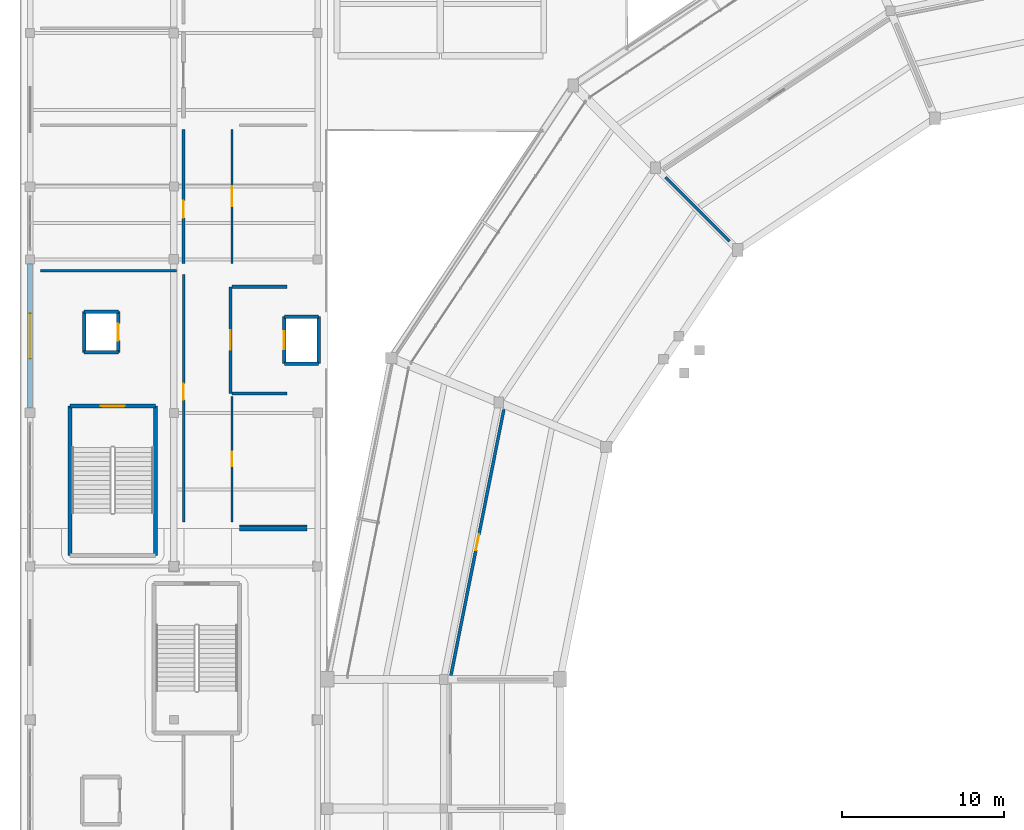
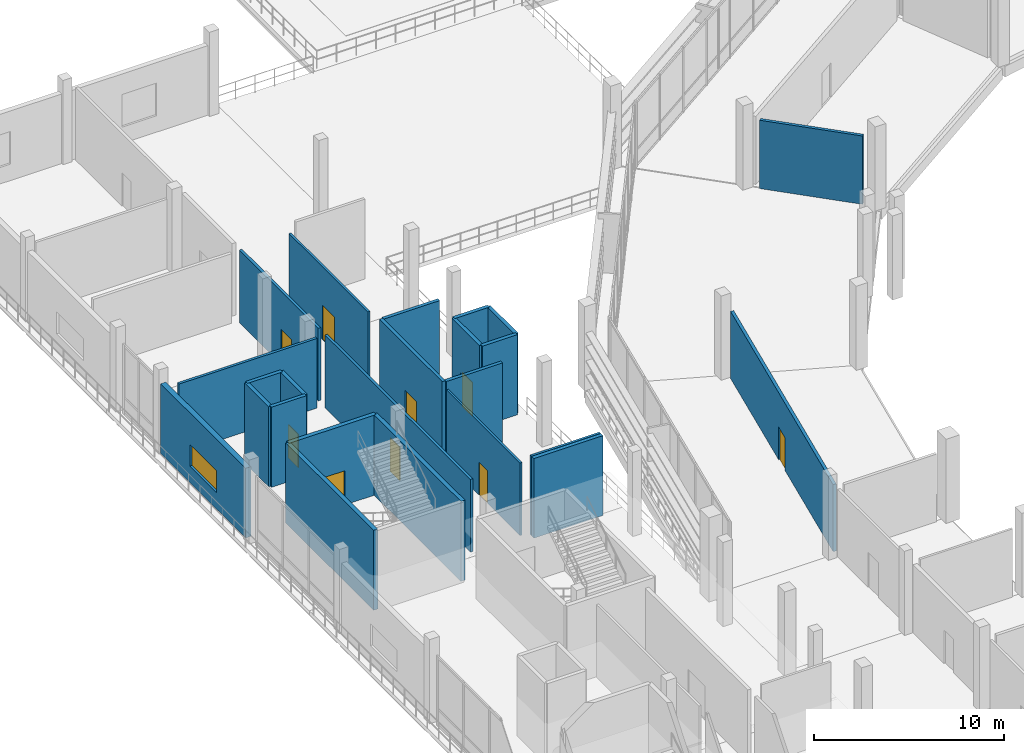
# One storey, part 74 of 111: 24 walls, 9 doors, 1 window, 10 openings.
"""IFC4 building model written with IfcOpenShell, lengths in metres."""

from ifc_helpers import new_model, si_unit, direction, frame, frame_2d, origin, place, context, subcontext, project, spatial, rectangle, extrude, material, layer, layer_set, type_object, element, fill, save


model = new_model("IFC4")

# Units and contexts
model_context = context("Model", 3, precision=1e-05, world=origin(), true_north=direction((0.0, 1.0)))
body_context = subcontext(model_context, "Body", "Model", "MODEL_VIEW")
ifc_project = project(units=[si_unit("LENGTHUNIT", "METRE"), si_unit("AREAUNIT", "SQUARE_METRE"), si_unit("VOLUMEUNIT", "CUBIC_METRE"), si_unit("PLANEANGLEUNIT", "RADIAN"), si_unit("MASSUNIT", "GRAM", prefix="KILO")], contexts=[model_context])

# Site, building, storey
site_placement = place(None, origin())
site = spatial("IfcSite", under=ifc_project, at=site_placement, CompositionType="ELEMENT")
building_placement = place(site_placement, origin())
building = spatial("IfcBuilding", under=site, at=building_placement, Name="Candeia Ridge Stadium", CompositionType="ELEMENT")
storey_placement = place(building_placement, frame((0.0, 0.0, 16.199951171875)))
storey = spatial("IfcBuildingStorey", under=building, at=storey_placement, Name="L03", CompositionType="ELEMENT", Elevation=16.199951171875)

# Wall
ifc_material_1 = material(Name="Gypsum Metal-Stud Partition", Category="gypsum")
ifc_layer_1 = layer(ifc_material_1, 0.14501953125, Name="Gypsum Metal-Stud Partition", Category="gypsum")
ifc_layer_set_1 = layer_set([ifc_layer_1], Name="Gypsum Metal-Stud Partition")
wall_type_1 = type_object("IfcWallType", Name="Athlete Recovery Partition 145", PredefinedType="PARTITIONING", material=ifc_layer_set_1)
wall_1_placement = place(storey_placement, frame((17.75, 104.5, 0.0), z_axis=(0.0, 0.0, 1.0), x_axis=(-1.0, 0.0, 0.0)))
element("IfcWall", 1, at=wall_1_placement, inside=storey, type_object=wall_type_1, Name="Demising partition PT-L03-0525", PredefinedType="PARTITIONING", context=body_context, shape_type="SweptSolid", body=[
    extrude(rectangle(XDim=4.199951171875, YDim=0.14501953125, at=frame_2d((2.10009765625, 0.0))), origin(), (0.0, 0.0, 1.0), 5.1201171875),
])

# Wall, opening, door
ifc_material_2 = material(Name="Gypsum Acoustic Twin-Stud Assembly", Category="gypsum")
ifc_layer_2 = layer(ifc_material_2, 0.159912109375, Name="Gypsum Acoustic Twin-Stud Assembly", Category="gypsum")
ifc_layer_set_2 = layer_set([ifc_layer_2], Name="Gypsum Acoustic Twin-Stud Assembly")
wall_type_2 = type_object("IfcWallType", Name="Club Dining Acoustic Partition 160", PredefinedType="PARTITIONING", material=ifc_layer_set_2)
wall_2_placement = place(storey_placement, frame((10.10009765625, 120.050048828125, 0.0), z_axis=(0.0, 0.0, 1.0), x_axis=(0.0, -1.0, 0.0)))
wall_2 = element("IfcWall", 2, at=wall_2_placement, inside=storey, type_object=wall_type_2, Name="Interior partition PT-L03-0522", PredefinedType="PARTITIONING", context=body_context, shape_type="SweptSolid", body=[
    extrude(rectangle(XDim=15.300048828125, YDim=0.159912109375, at=frame_2d((7.64990234375, 0.0))), origin(), (0.0, 0.0, 1.0), 4.66796875),
])
opening_1_placement = place(wall_2_placement, frame((6.75, 0.0, 0.0)))
opening_1 = element("IfcOpeningElement", 3, at=opening_1_placement, cuts=wall_2, Name="Opening ID04", PredefinedType="OPENING", context=body_context, shape_type="SweptSolid", body=[
    extrude(rectangle(XDim=1.0, YDim=2.14990234375, at=frame_2d((0.5, 1.074951171875))), frame((0.0, 0.08984375, 0.0), z_axis=(0.0, -1.0, 0.0), x_axis=(1.0, 0.0, 0.0)), (0.0, 0.0, 1.0), 0.179931640625),
])
ifc_material_3 = material(Name="Powder-Coated Hollow Metal", Category="steel")
door_type_1 = type_object("IfcDoorType", Name="Concourse Kiosk Service Door 1000x2150", OperationType="NOTDEFINED", PredefinedType="DOOR", material=ifc_material_3)
door_1_placement = place(opening_1_placement, frame((1.0, 0.0, 0.0), z_axis=(0.0, 0.0, 1.0), x_axis=(-1.0, 0.0, 0.0)))
door_1 = element("IfcDoor", 4, at=door_1_placement, inside=storey, type_object=door_type_1, Name="Interior room door D-L03-0269", OperationType="SINGLE_SWING_LEFT", OverallHeight=2.14990234375, OverallWidth=1.0, PredefinedType="DOOR", context=body_context, shape_type="SweptSolid", body=[
    extrude(rectangle(XDim=1.0, YDim=2.14990234375, at=frame_2d((0.5, 1.074951171875))), frame((0.0, 0.02490234375, 0.0), z_axis=(0.0, -1.0, 0.0), x_axis=(1.0, 0.0, 0.0)), (0.0, 0.0, 1.0), 0.050048828125),
])
fill(opening_1, door_1)

# Walls
wall_3_placement = place(storey_placement, frame((1.25, 120.300048828125, 0.0), z_axis=(0.0, 0.0, 1.0), x_axis=(1.0, 0.0, 0.0)))
element("IfcWall", 5, at=wall_3_placement, inside=storey, type_object=wall_type_2, Name="Demising partition PT-L03-0523", PredefinedType="PARTITIONING", context=body_context, shape_type="SweptSolid", body=[
    extrude(rectangle(XDim=8.39990234375, YDim=0.159912109375, at=frame_2d((4.199951171875, 0.0))), origin(), (0.0, 0.0, 1.0), 4.47509765625),
])
ifc_material_4 = material(Name="Concrete C40/50", Category="concrete")
ifc_layer_3 = layer(ifc_material_4, 0.25, Name="Concrete C40/50", Category="concrete")
ifc_layer_set_3 = layer_set([ifc_layer_3], Name="Concrete C40/50")
wall_type_3 = type_object("IfcWallType", Name="Core Shear Wall Concrete 250", PredefinedType="SHEAR", material=ifc_layer_set_3)
for number, where, z_axis, x_axis, name in (
    (6, (3.075439453125, 111.924560546875, 0.0), (0.0, 0.0, 1.0), (0.0, -1.0, 0.0), "Core C06 left shear wall L03"),
    (7, (8.37451171875, 102.67529296875, 0.0), (0.0, 0.0, 1.0), (0.0, 1.0, 0.0), "Core C06 right shear wall L03"),
):
    element("IfcWall", number, at=place(storey_placement, frame(where, z_axis=z_axis, x_axis=x_axis)), inside=storey, type_object=wall_type_3, Name=name, PredefinedType="SHEAR", context=body_context, shape_type="SweptSolid", body=[
        extrude(rectangle(XDim=9.249267578125, YDim=0.25, at=frame_2d((4.62451171875, 0.0))), origin(), (0.0, 0.0, 1.0), 5.14013671875),
    ])

# Wall, opening, door
wall_4_placement = place(storey_placement, frame((8.37451171875, 111.924560546875, 0.0), z_axis=(0.0, 0.0, 1.0), x_axis=(-1.0, 0.0, 0.0)))
wall_4 = element("IfcWall", 8, at=wall_4_placement, inside=storey, type_object=wall_type_3, Name="Core C06 near shear wall L03", PredefinedType="SHEAR", context=body_context, shape_type="SweptSolid", body=[
    extrude(rectangle(XDim=5.299072265625, YDim=0.25, at=frame_2d((2.6494140625, 0.0))), origin(), (0.0, 0.0, 1.0), 5.14013671875),
])
opening_2_placement = place(wall_4_placement, frame((1.899658203125, 0.0, 0.0)))
opening_2 = element("IfcOpeningElement", 9, at=opening_2_placement, cuts=wall_4, Name="Opening FD01", PredefinedType="OPENING", context=body_context, shape_type="SweptSolid", body=[
    extrude(rectangle(XDim=1.5, YDim=2.199951171875, at=frame_2d((0.75, 1.10009765625))), frame((0.0, 0.135009765625, 0.0), z_axis=(0.0, -1.0, 0.0), x_axis=(1.0, 0.0, 0.0)), (0.0, 0.0, 1.0), 0.27001953125),
])
ifc_material_5 = material(Name="Galvanized Fire-Rated Steel", Category="steel")
door_type_2 = type_object("IfcDoorType", Name="Exit Stair Core Fire Door 1500x2200", OperationType="NOTDEFINED", PredefinedType="DOOR", material=ifc_material_5)
door_2_placement = place(opening_2_placement, origin())
door_2 = element("IfcDoor", 10, at=door_2_placement, inside=storey, type_object=door_type_2, Name="Exit stair fire door SD-ST06-L03", OperationType="DOUBLE_DOOR_SINGLE_SWING", OverallHeight=2.199951171875, OverallWidth=1.5, PredefinedType="DOOR", context=body_context, shape_type="SweptSolid", body=[
    extrude(rectangle(XDim=1.5, YDim=2.199951171875, at=frame_2d((0.75, 1.10009765625))), frame((0.0, 0.02490234375, 0.0), z_axis=(0.0, -1.0, 0.0), x_axis=(1.0, 0.0, 0.0)), (0.0, 0.0, 1.0), 0.050048828125),
])
fill(opening_2, door_2)

# Wall
ifc_material_6 = material(Name="Moisture-Resistant Masonry & Tile", Category="masonry")
ifc_layer_4 = layer(ifc_material_6, 0.22998046875, Name="Moisture-Resistant Masonry & Tile", Category="masonry")
ifc_layer_set_4 = layer_set([ifc_layer_4], Name="Moisture-Resistant Masonry & Tile")
wall_type_4 = type_object("IfcWallType", Name="Dressing Suite Wet-Wall Chase 230", PredefinedType="PLUMBINGWALL", material=ifc_layer_set_4)
wall_5_placement = place(storey_placement, frame((13.550048828125, 104.300048828125, 0.0), z_axis=(0.0, 0.0, 1.0), x_axis=(1.0, 0.0, 0.0)))
element("IfcWall", 11, at=wall_5_placement, inside=storey, type_object=wall_type_4, Name="Demising partition PT-L03-0521", PredefinedType="PLUMBINGWALL", context=body_context, shape_type="SweptSolid", body=[
    extrude(rectangle(XDim=4.199951171875, YDim=0.22998046875, at=frame_2d((2.10009765625, 0.0))), origin(), (0.0, 0.0, 1.0), 5.1201171875),
])

# Wall, opening, window
ifc_material_7 = material(Name="Concrete C35/45", Category="concrete")
ifc_layer_5 = layer(ifc_material_7, 0.320068359375, Name="Concrete C35/45", Category="concrete")
ifc_layer_set_5 = layer_set([ifc_layer_5], Name="Concrete C35/45")
wall_type_5 = type_object("IfcWallType", Name="Exterior Cedar-Clad Insulated Wall 320", PredefinedType="SOLIDWALL", material=ifc_layer_set_5)
wall_6_placement = place(storey_placement, frame((0.60009765625, 111.7880859375, 0.0), z_axis=(0.0, 0.0, 1.0), x_axis=(0.0, 1.0, 0.0)))
wall_6 = element("IfcWall", 12, at=wall_6_placement, inside=storey, type_object=wall_type_5, Name="Exterior facade wall EW-L03-0092", PredefinedType="SOLIDWALL", context=body_context, shape_type="SweptSolid", body=[
    extrude(rectangle(XDim=8.948974609375, YDim=0.320068359375, at=frame_2d((4.474609375, 0.0))), origin(), (0.0, 0.0, 1.0), 4.47509765625),
])
opening_3_placement = place(wall_6_placement, frame((3.074462890625, 0.0, 1.050048828125)))
opening_3 = element("IfcOpeningElement", 13, at=opening_3_placement, cuts=wall_6, Name="Opening W06", PredefinedType="OPENING", context=body_context, shape_type="SweptSolid", body=[
    extrude(rectangle(XDim=2.800048828125, YDim=1.39990234375, at=frame_2d((1.39990234375, 0.699951171875))), frame((0.0, 0.169921875, 0.0), z_axis=(0.0, -1.0, 0.0), x_axis=(1.0, 0.0, 0.0)), (0.0, 0.0, 1.0), 0.340087890625),
])
ifc_material_8 = material(Name="Tempered Solar-Control Double Glazing", Category="glass")
window_type = type_object("IfcWindowType", Name="Museum Clerestory Window 2800x1400", PartitioningType="SINGLE_PANEL", PredefinedType="WINDOW", material=ifc_material_8)
window_placement = place(opening_3_placement, origin())
window = element("IfcWindow", 14, at=window_placement, inside=storey, type_object=window_type, Name="Exterior window WIN-L03-045", OverallHeight=1.39990234375, OverallWidth=2.800048828125, PartitioningType="SINGLE_PANEL", PredefinedType="WINDOW", context=body_context, shape_type="SweptSolid", body=[
    extrude(rectangle(XDim=2.800048828125, YDim=1.39990234375, at=frame_2d((1.39990234375, 0.699951171875))), frame((0.0, 0.030029296875, 0.0), z_axis=(0.0, -1.0, 0.0), x_axis=(1.0, 0.0, 0.0)), (0.0, 0.0, 1.0), 0.06005859375),
])
fill(opening_3, window)

# Walls
ifc_layer_6 = layer(ifc_material_7, 0.199951171875, Name="Concrete C35/45", Category="concrete")
ifc_layer_set_6 = layer_set([ifc_layer_6], Name="Concrete C35/45")
wall_type_6 = type_object("IfcWallType", Name="Firefighting Lobby Rated Wall 200", PredefinedType="SOLIDWALL", material=ifc_layer_set_6)
for number, where, z_axis, x_axis, name in (
    (15, (13.10009765625, 112.699951171875, 0.0), (0.0, 0.0, 1.0), (1.0, 0.0, 0.0), "Firefighting lift lobby FF2 rated wall L03 south"),
    (16, (16.5, 119.300048828125, 0.0), (0.0, 0.0, 1.0), (-1.0, 0.0, 0.0), "Firefighting lift lobby FF2 rated wall L03 north"),
):
    element("IfcWall", number, at=place(storey_placement, frame(where, z_axis=z_axis, x_axis=x_axis)), inside=storey, type_object=wall_type_6, Name=name, PredefinedType="SOLIDWALL", context=body_context, shape_type="SweptSolid", body=[
        extrude(rectangle(XDim=3.39990234375, YDim=0.199951171875, at=frame_2d((1.699951171875, 0.0))), origin(), (0.0, 0.0, 1.0), 5.1201171875),
    ])

# Wall, opening, door
wall_7_placement = place(storey_placement, frame((13.0, 119.300048828125, 0.0), z_axis=(0.0, 0.0, 1.0), x_axis=(0.0, -1.0, 0.0)))
wall_7 = element("IfcWall", 17, at=wall_7_placement, inside=storey, type_object=wall_type_6, Name="Firefighting lift lobby FF2 rated wall L03 entry", PredefinedType="SOLIDWALL", context=body_context, shape_type="SweptSolid", body=[
    extrude(rectangle(XDim=6.60009765625, YDim=0.199951171875, at=frame_2d((3.300048828125, 0.0))), origin(), (0.0, 0.0, 1.0), 5.1201171875),
])
opening_4_placement = place(wall_7_placement, frame((2.699951171875, 0.0, 0.0)))
opening_4 = element("IfcOpeningElement", 18, at=opening_4_placement, cuts=wall_7, Name="Opening FD02", PredefinedType="OPENING", context=body_context, shape_type="SweptSolid", body=[
    extrude(rectangle(XDim=1.199951171875, YDim=2.199951171875, at=frame_2d((0.60009765625, 1.10009765625))), frame((0.0, 0.10986328125, 0.0), z_axis=(0.0, -1.0, 0.0), x_axis=(1.0, 0.0, 0.0)), (0.0, 0.0, 1.0), 0.219970703125),
])
door_type_3 = type_object("IfcDoorType", Name="Firefighting Lobby Fire Door 1200x2200", OperationType="NOTDEFINED", PredefinedType="DOOR", material=ifc_material_5)
door_3_placement = place(opening_4_placement, origin())
door_3 = element("IfcDoor", 19, at=door_3_placement, inside=storey, type_object=door_type_3, Name="Firefighting lobby fire door FFD-FF2-L03", OperationType="SINGLE_SWING_RIGHT", OverallHeight=2.199951171875, OverallWidth=1.199951171875, PredefinedType="DOOR", context=body_context, shape_type="SweptSolid", body=[
    extrude(rectangle(XDim=1.199951171875, YDim=2.199951171875, at=frame_2d((0.60009765625, 1.10009765625))), frame((0.0, 0.02490234375, 0.0), z_axis=(0.0, -1.0, 0.0), x_axis=(1.0, 0.0, 0.0)), (0.0, 0.0, 1.0), 0.050048828125),
])
fill(opening_4, door_3)

ifc_layer_7 = layer(ifc_material_1, 0.135009765625, Name="Gypsum Metal-Stud Partition", Category="gypsum")
ifc_layer_set_7 = layer_set([ifc_layer_7], Name="Gypsum Metal-Stud Partition")
wall_type_7 = type_object("IfcWallType", Name="General Room Partition 135", PredefinedType="PARTITIONING", material=ifc_layer_set_7)
wall_8_placement = place(storey_placement, frame((13.10009765625, 120.75, 0.0), z_axis=(0.0, 0.0, 1.0), x_axis=(0.0, 1.0, 0.0)))
wall_8 = element("IfcWall", 20, at=wall_8_placement, inside=storey, type_object=wall_type_7, Name="Interior partition PT-L03-0528", PredefinedType="PARTITIONING", context=body_context, shape_type="SweptSolid", body=[
    extrude(rectangle(XDim=8.300048828125, YDim=0.135009765625, at=frame_2d((4.14990234375, 0.0))), origin(), (0.0, 0.0, 1.0), 4.66796875),
])
opening_5_placement = place(wall_8_placement, frame((3.52490234375, 0.0, 0.0)))
opening_5 = element("IfcOpeningElement", 21, at=opening_5_placement, cuts=wall_8, Name="Opening ID11", PredefinedType="OPENING", context=body_context, shape_type="SweptSolid", body=[
    extrude(rectangle(XDim=1.25, YDim=2.199951171875, at=frame_2d((0.625, 1.10009765625))), frame((0.0, 0.077392578125, 0.0), z_axis=(0.0, -1.0, 0.0), x_axis=(1.0, 0.0, 0.0)), (0.0, 0.0, 1.0), 0.155029296875),
])
ifc_material_9 = material(Name="Acoustic Timber Studio Leaf", Category="wood")
door_type_4 = type_object("IfcDoorType", Name="Press Tribune Acoustic Door 1250x2200", OperationType="NOTDEFINED", PredefinedType="DOOR", material=ifc_material_9)
door_4_placement = place(opening_5_placement, origin())
door_4 = element("IfcDoor", 22, at=door_4_placement, inside=storey, type_object=door_type_4, Name="Interior room door D-L03-0272", OperationType="SINGLE_SWING_RIGHT", OverallHeight=2.199951171875, OverallWidth=1.25, PredefinedType="DOOR", context=body_context, shape_type="SweptSolid", body=[
    extrude(rectangle(XDim=1.25, YDim=2.199951171875, at=frame_2d((0.625, 1.10009765625))), frame((0.0, 0.02490234375, 0.0), z_axis=(0.0, -1.0, 0.0), x_axis=(1.0, 0.0, 0.0)), (0.0, 0.0, 1.0), 0.050048828125),
])
fill(opening_5, door_4)

ifc_layer_8 = layer(ifc_material_2, 0.1650390625, Name="Gypsum Acoustic Twin-Stud Assembly", Category="gypsum")
ifc_layer_set_8 = layer_set([ifc_layer_8], Name="Gypsum Acoustic Twin-Stud Assembly")
wall_type_8 = type_object("IfcWallType", Name="Hospitality Suite Acoustic Wall 165", PredefinedType="PARTITIONING", material=ifc_layer_set_8)
wall_9_placement = place(storey_placement, frame((10.10009765625, 129.050048828125, 0.0), z_axis=(0.0, 0.0, 1.0), x_axis=(0.0, -1.0, 0.0)))
wall_9 = element("IfcWall", 23, at=wall_9_placement, inside=storey, type_object=wall_type_8, Name="Interior partition PT-L03-0526", PredefinedType="PARTITIONING", context=body_context, shape_type="SweptSolid", body=[
    extrude(rectangle(XDim=8.300048828125, YDim=0.1650390625, at=frame_2d((4.14990234375, 0.0))), origin(), (0.0, 0.0, 1.0), 4.66796875),
])
opening_6_placement = place(wall_9_placement, frame((4.409912109375, 0.0, 0.0)))
opening_6 = element("IfcOpeningElement", 24, at=opening_6_placement, cuts=wall_9, Name="Opening ID08", PredefinedType="OPENING", context=body_context, shape_type="SweptSolid", body=[
    extrude(rectangle(XDim=1.080078125, YDim=2.25, at=frame_2d((0.5400390625, 1.125))), frame((0.0, 0.092529296875, 0.0), z_axis=(0.0, -1.0, 0.0), x_axis=(1.0, 0.0, 0.0)), (0.0, 0.0, 1.0), 0.18505859375),
])
ifc_material_10 = material(Name="Western Red Cedar Acoustic Veneer", Category="wood")
door_type_5 = type_object("IfcDoorType", Name="Executive Skybox Entry Door 1080x2250", OperationType="NOTDEFINED", PredefinedType="DOOR", material=ifc_material_10)
door_5_placement = place(opening_6_placement, origin())
door_5 = element("IfcDoor", 25, at=door_5_placement, inside=storey, type_object=door_type_5, Name="Interior room door D-L03-0271", OperationType="SINGLE_SWING_LEFT", OverallHeight=2.25, OverallWidth=1.080078125, PredefinedType="DOOR", context=body_context, shape_type="SweptSolid", body=[
    extrude(rectangle(XDim=1.080078125, YDim=2.25, at=frame_2d((0.5400390625, 1.125))), frame((0.0, 0.02490234375, 0.0), z_axis=(0.0, -1.0, 0.0), x_axis=(1.0, 0.0, 0.0)), (0.0, 0.0, 1.0), 0.050048828125),
])
fill(opening_6, door_5)

# Walls
ifc_layer_9 = layer(ifc_material_4, 0.219970703125, Name="Concrete C40/50", Category="concrete")
ifc_layer_set_9 = layer_set([ifc_layer_9], Name="Concrete C40/50")
wall_type_9 = type_object("IfcWallType", Name="Lift & Riser Shaft Wall 220", PredefinedType="SHEAR", material=ifc_layer_set_9)
wall_10_placement = place(storey_placement, frame((16.340087890625, 114.5400390625, 0.0), z_axis=(0.0, 0.0, 1.0), x_axis=(1.0, 0.0, 0.0)))
element("IfcWall", 26, at=wall_10_placement, inside=storey, type_object=wall_type_9, Name="Lift FF2 shaft wall L03 south", PredefinedType="SHEAR", context=body_context, shape_type="SweptSolid", body=[
    extrude(rectangle(XDim=2.119873046875, YDim=0.219970703125, at=frame_2d((1.06005859375, 0.0))), origin(), (0.0, 0.0, 1.0), 5.14013671875),
])
wall_11_placement = place(storey_placement, frame((18.4599609375, 114.5400390625, 0.0), z_axis=(0.0, 0.0, 1.0), x_axis=(0.0, 1.0, 0.0)))
element("IfcWall", 27, at=wall_11_placement, inside=storey, type_object=wall_type_9, Name="Lift FF2 shaft wall L03 east", PredefinedType="SHEAR", context=body_context, shape_type="SweptSolid", body=[
    extrude(rectangle(XDim=2.919921875, YDim=0.219970703125, at=frame_2d((1.4599609375, 0.0))), origin(), (0.0, 0.0, 1.0), 5.14013671875),
])
wall_12_placement = place(storey_placement, frame((18.4599609375, 117.4599609375, 0.0), z_axis=(0.0, 0.0, 1.0), x_axis=(-1.0, 0.0, 0.0)))
element("IfcWall", 28, at=wall_12_placement, inside=storey, type_object=wall_type_9, Name="Lift FF2 shaft wall L03 north", PredefinedType="SHEAR", context=body_context, shape_type="SweptSolid", body=[
    extrude(rectangle(XDim=2.119873046875, YDim=0.219970703125, at=frame_2d((1.06005859375, 0.0))), origin(), (0.0, 0.0, 1.0), 5.14013671875),
])

# Wall, opening, door
wall_13_placement = place(storey_placement, frame((16.340087890625, 117.4599609375, 0.0), z_axis=(0.0, 0.0, 1.0), x_axis=(0.0, -1.0, 0.0)))
wall_13 = element("IfcWall", 29, at=wall_13_placement, inside=storey, type_object=wall_type_9, Name="Lift FF2 shaft wall L03 west", PredefinedType="SHEAR", context=body_context, shape_type="SweptSolid", body=[
    extrude(rectangle(XDim=2.919921875, YDim=0.219970703125, at=frame_2d((1.4599609375, 0.0))), origin(), (0.0, 0.0, 1.0), 5.14013671875),
])
opening_7_placement = place(wall_13_placement, frame((0.909912109375, 0.0, 0.0)))
opening_7 = element("IfcOpeningElement", 30, at=opening_7_placement, cuts=wall_13, Name="Opening LD01", PredefinedType="OPENING", context=body_context, shape_type="SweptSolid", body=[
    extrude(rectangle(XDim=1.10009765625, YDim=2.199951171875, at=frame_2d((0.550048828125, 1.10009765625))), frame((0.0, 0.119873046875, 0.0), z_axis=(0.0, -1.0, 0.0), x_axis=(1.0, 0.0, 0.0)), (0.0, 0.0, 1.0), 0.239990234375),
])
ifc_material_11 = material(Name="Brushed Stainless Steel", Category="steel")
door_type_6 = type_object("IfcDoorType", Name="Firefighting Lift Landing Door 1100x2200", OperationType="NOTDEFINED", PredefinedType="DOOR", material=ifc_material_11)
door_6_placement = place(opening_7_placement, origin())
door_6 = element("IfcDoor", 31, at=door_6_placement, inside=storey, type_object=door_type_6, Name="Lift landing sliding door LD-FF2-L03", OperationType="DOUBLE_DOOR_SLIDING", OverallHeight=2.199951171875, OverallWidth=1.10009765625, PredefinedType="DOOR", context=body_context, shape_type="SweptSolid", body=[
    extrude(rectangle(XDim=1.10009765625, YDim=2.199951171875, at=frame_2d((0.550048828125, 1.10009765625))), frame((0.0, 0.02490234375, 0.0), z_axis=(0.0, -1.0, 0.0), x_axis=(1.0, 0.0, 0.0)), (0.0, 0.0, 1.0), 0.050048828125),
])
fill(opening_7, door_6)

# Wall
wall_14_placement = place(storey_placement, frame((3.93994140625, 115.239990234375, 0.0), z_axis=(0.0, 0.0, 1.0), x_axis=(1.0, 0.0, 0.0)))
element("IfcWall", 32, at=wall_14_placement, inside=storey, type_object=wall_type_9, Name="Lift VL2 shaft wall L03 south", PredefinedType="SHEAR", context=body_context, shape_type="SweptSolid", body=[
    extrude(rectangle(XDim=2.1201171875, YDim=0.219970703125, at=frame_2d((1.06005859375, 0.0))), origin(), (0.0, 0.0, 1.0), 5.14013671875),
])

# Wall, opening, door
wall_15_placement = place(storey_placement, frame((6.06005859375, 115.239990234375, 0.0), z_axis=(0.0, 0.0, 1.0), x_axis=(0.0, 1.0, 0.0)))
wall_15 = element("IfcWall", 33, at=wall_15_placement, inside=storey, type_object=wall_type_9, Name="Lift VL2 shaft wall L03 east", PredefinedType="SHEAR", context=body_context, shape_type="SweptSolid", body=[
    extrude(rectangle(XDim=2.52001953125, YDim=0.219970703125, at=frame_2d((1.260009765625, 0.0))), origin(), (0.0, 0.0, 1.0), 5.14013671875),
])
opening_8_placement = place(wall_15_placement, frame((0.735107421875, 0.0, 0.0)))
opening_8 = element("IfcOpeningElement", 34, at=opening_8_placement, cuts=wall_15, Name="Opening LD02", PredefinedType="OPENING", context=body_context, shape_type="SweptSolid", body=[
    extrude(rectangle(XDim=1.050048828125, YDim=2.14990234375, at=frame_2d((0.52490234375, 1.074951171875))), frame((0.0, 0.119873046875, 0.0), z_axis=(0.0, -1.0, 0.0), x_axis=(1.0, 0.0, 0.0)), (0.0, 0.0, 1.0), 0.239990234375),
])
door_type_7 = type_object("IfcDoorType", Name="Passenger Lift Landing Door 1050x2150", OperationType="NOTDEFINED", PredefinedType="DOOR", material=ifc_material_11)
door_7_placement = place(opening_8_placement, origin())
door_7 = element("IfcDoor", 35, at=door_7_placement, inside=storey, type_object=door_type_7, Name="Lift landing sliding door LD-VL2-L03", OperationType="DOUBLE_DOOR_SLIDING", OverallHeight=2.14990234375, OverallWidth=1.050048828125, PredefinedType="DOOR", context=body_context, shape_type="SweptSolid", body=[
    extrude(rectangle(XDim=1.050048828125, YDim=2.14990234375, at=frame_2d((0.52490234375, 1.074951171875))), frame((0.0, 0.02490234375, 0.0), z_axis=(0.0, -1.0, 0.0), x_axis=(1.0, 0.0, 0.0)), (0.0, 0.0, 1.0), 0.050048828125),
])
fill(opening_8, door_7)

# Walls
wall_16_placement = place(storey_placement, frame((6.06005859375, 117.760009765625, 0.0), z_axis=(0.0, 0.0, 1.0), x_axis=(-1.0, 0.0, 0.0)))
element("IfcWall", 36, at=wall_16_placement, inside=storey, type_object=wall_type_9, Name="Lift VL2 shaft wall L03 north", PredefinedType="SHEAR", context=body_context, shape_type="SweptSolid", body=[
    extrude(rectangle(XDim=2.1201171875, YDim=0.219970703125, at=frame_2d((1.06005859375, 0.0))), origin(), (0.0, 0.0, 1.0), 5.14013671875),
])
wall_17_placement = place(storey_placement, frame((3.93994140625, 117.760009765625, 0.0), z_axis=(0.0, 0.0, 1.0), x_axis=(0.0, -1.0, 0.0)))
element("IfcWall", 37, at=wall_17_placement, inside=storey, type_object=wall_type_9, Name="Lift VL2 shaft wall L03 west", PredefinedType="SHEAR", context=body_context, shape_type="SweptSolid", body=[
    extrude(rectangle(XDim=2.52001953125, YDim=0.219970703125, at=frame_2d((1.260009765625, 0.0))), origin(), (0.0, 0.0, 1.0), 5.14013671875),
])

# Wall, opening, door
ifc_material_12 = material(Name="Gypsum Acoustic Triple-Board Wall", Category="gypsum")
ifc_layer_10 = layer(ifc_material_12, 0.18505859375, Name="Gypsum Acoustic Triple-Board Wall", Category="gypsum")
ifc_layer_set_10 = layer_set([ifc_layer_10], Name="Gypsum Acoustic Triple-Board Wall")
wall_type_10 = type_object("IfcWallType", Name="Media Booth Studio Divider 185", PredefinedType="PARTITIONING", material=ifc_layer_set_10)
wall_18_placement = place(storey_placement, frame((26.648681640625, 95.2451171875, 0.0), z_axis=(0.0, 0.0, 1.0), x_axis=(0.195100557291, 0.980783244425, 0.0)))
wall_18 = element("IfcWall", 38, at=wall_18_placement, inside=storey, type_object=wall_type_10, Name="Interior partition PT-L03-0579", PredefinedType="PARTITIONING", context=body_context, shape_type="SweptSolid", body=[
    extrude(rectangle(XDim=16.783203125, YDim=0.18505859375, at=frame_2d((8.3916015625, 0.0))), origin(), (0.0, 0.0, 1.0), 4.304931640625),
])
opening_9_placement = place(wall_18_placement, frame((7.8916015625, 0.0, 0.0)))
opening_9 = element("IfcOpeningElement", 39, at=opening_9_placement, cuts=wall_18, Name="Opening ID06", PredefinedType="OPENING", context=body_context, shape_type="SweptSolid", body=[
    extrude(rectangle(XDim=1.0, YDim=2.10009765625, at=frame_2d((0.5, 1.050048828125))), frame((0.0, 0.1025390625, 0.0), z_axis=(0.0, -1.0, 0.0), x_axis=(1.0, 0.0, 0.0)), (0.0, 0.0, 1.0), 0.205078125),
])
ifc_material_13 = material(Name="Moisture-Resistant Laminate", Category="wood")
door_type_8 = type_object("IfcDoorType", Name="Accessible Sanitary Door 1000x2100", OperationType="NOTDEFINED", PredefinedType="DOOR", material=ifc_material_13)
door_8_placement = place(opening_9_placement, origin())
door_8 = element("IfcDoor", 40, at=door_8_placement, inside=storey, type_object=door_type_8, Name="Interior room door D-L03-0298", OperationType="SINGLE_SWING_RIGHT", OverallHeight=2.10009765625, OverallWidth=1.0, PredefinedType="DOOR", context=body_context, shape_type="SweptSolid", body=[
    extrude(rectangle(XDim=1.0, YDim=2.10009765625, at=frame_2d((0.5, 1.050048828125))), frame((0.0, 0.02490234375, 0.0), z_axis=(0.0, -1.0, 0.0), x_axis=(1.0, 0.0, 0.0)), (0.0, 0.0, 1.0), 0.050048828125),
])
fill(opening_9, door_8)

# Wall
ifc_layer_11 = layer(ifc_material_2, 0.175048828125, Name="Gypsum Acoustic Twin-Stud Assembly", Category="gypsum")
ifc_layer_set_11 = layer_set([ifc_layer_11], Name="Gypsum Acoustic Twin-Stud Assembly")
wall_type_11 = type_object("IfcWallType", Name="Museum Acoustic Gallery Wall 175", PredefinedType="PARTITIONING", material=ifc_layer_set_11)
wall_19_placement = place(storey_placement, frame((43.882568359375, 122.117431640625, 0.0), z_axis=(0.0, 0.0, 1.0), x_axis=(-0.707106781187, 0.707106781187, 0.0)))
element("IfcWall", 41, at=wall_19_placement, inside=storey, type_object=wall_type_11, Name="Demising partition PT-L03-0578", PredefinedType="PARTITIONING", context=body_context, shape_type="SweptSolid", body=[
    extrude(rectangle(XDim=5.600341796875, YDim=0.175048828125, at=frame_2d((2.80029296875, 0.0))), origin(), (0.0, 0.0, 1.0), 4.385009765625),
])

# Wall, opening, door
ifc_layer_12 = layer(ifc_material_1, 0.1298828125, Name="Gypsum Metal-Stud Partition", Category="gypsum")
ifc_layer_set_12 = layer_set([ifc_layer_12], Name="Gypsum Metal-Stud Partition")
wall_type_12 = type_object("IfcWallType", Name="Ticketing Back-Office Partition 130", PredefinedType="PARTITIONING", material=ifc_layer_set_12)
wall_20_placement = place(storey_placement, frame((13.10009765625, 104.75, 0.0), z_axis=(0.0, 0.0, 1.0), x_axis=(0.0, 1.0, 0.0)))
wall_20 = element("IfcWall", 42, at=wall_20_placement, inside=storey, type_object=wall_type_12, Name="Interior partition PT-L03-0524", PredefinedType="PARTITIONING", context=body_context, shape_type="SweptSolid", body=[
    extrude(rectangle(XDim=7.760009765625, YDim=0.1298828125, at=frame_2d((3.8798828125, 0.0))), origin(), (0.0, 0.0, 1.0), 4.66796875),
])
opening_10_placement = place(wall_20_placement, frame((3.429931640625, 0.0, 0.0)))
opening_10 = element("IfcOpeningElement", 43, at=opening_10_placement, cuts=wall_20, Name="Opening ID07", PredefinedType="OPENING", context=body_context, shape_type="SweptSolid", body=[
    extrude(rectangle(XDim=0.89990234375, YDim=2.10009765625, at=frame_2d((0.449951171875, 1.050048828125))), frame((0.0, 0.074951171875, 0.0), z_axis=(0.0, -1.0, 0.0), x_axis=(1.0, 0.0, 0.0)), (0.0, 0.0, 1.0), 0.14990234375),
])
door_type_9 = type_object("IfcDoorType", Name="Sanitary Lobby Single Door 900x2100", OperationType="NOTDEFINED", PredefinedType="DOOR", material=ifc_material_13)
door_9_placement = place(opening_10_placement, frame((0.89990234375, 0.0, 0.0), z_axis=(0.0, 0.0, 1.0), x_axis=(-1.0, 0.0, 0.0)))
door_9 = element("IfcDoor", 44, at=door_9_placement, inside=storey, type_object=door_type_9, Name="Interior room door D-L03-0270", OperationType="SINGLE_SWING_RIGHT", OverallHeight=2.10009765625, OverallWidth=0.89990234375, PredefinedType="DOOR", context=body_context, shape_type="SweptSolid", body=[
    extrude(rectangle(XDim=0.89990234375, YDim=2.10009765625, at=frame_2d((0.449951171875, 1.050048828125))), frame((0.0, 0.02490234375, 0.0), z_axis=(0.0, -1.0, 0.0), x_axis=(1.0, 0.0, 0.0)), (0.0, 0.0, 1.0), 0.050048828125),
])
fill(opening_10, door_9)

save(model, "model.ifc")
